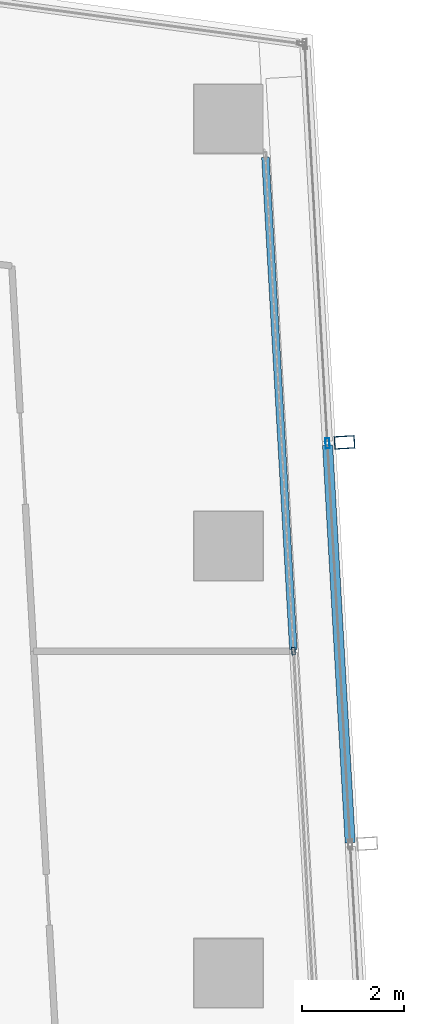
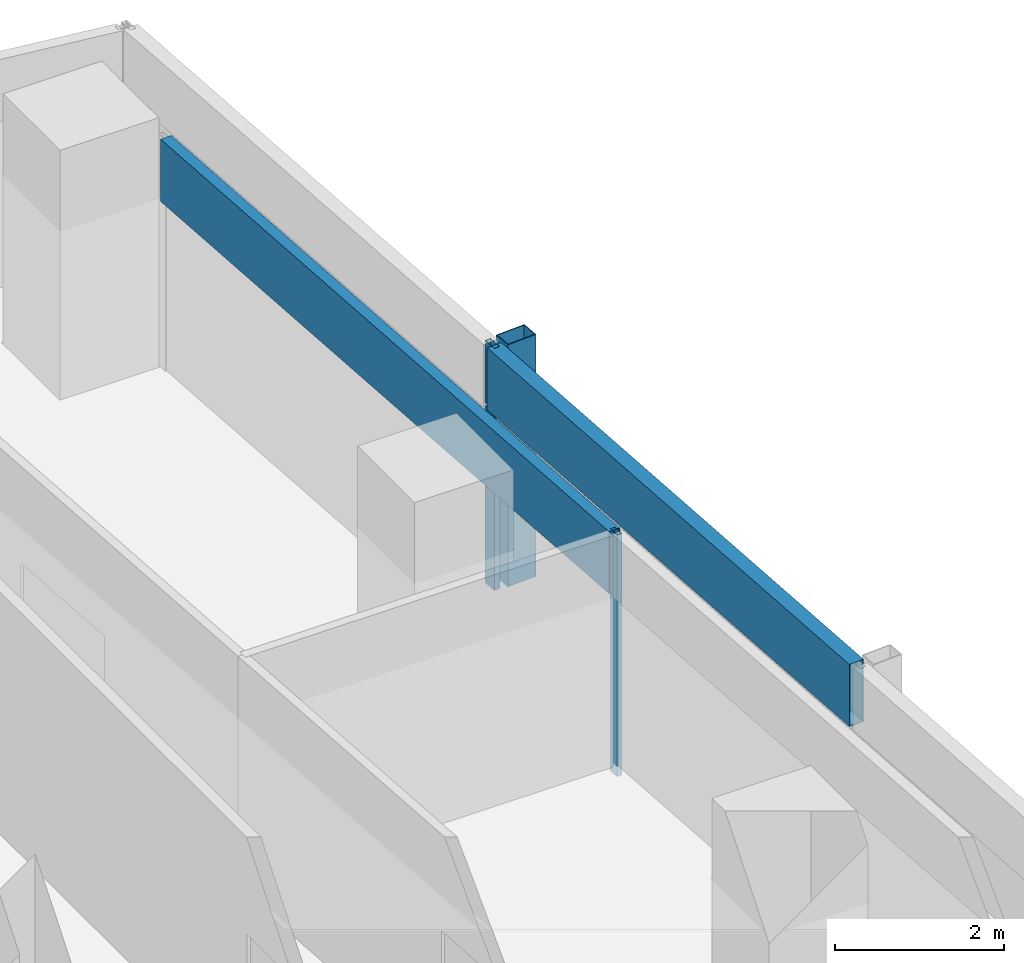
# One storey, part 20 of 35: 5 members, 2 elements without a shape of their own.
"""IFC4 building model written with IfcOpenShell, lengths in metres."""

from ifc_helpers import new_model, si_unit, direction, frame, origin, origin_2d, place, context, subcontext, project, spatial, hollow_rectangle, extrude, material, material_profile, profile_set, type_object, element, aggregate, save


model = new_model("IFC4")

# Units and contexts
model_context = context("Model", 3, precision=1e-05, world=origin(), true_north=direction((0.0, 1.0)))
body_context = subcontext(model_context, "Body", "Model", "MODEL_VIEW")
ifc_project = project(units=[si_unit("LENGTHUNIT", "METRE"), si_unit("AREAUNIT", "SQUARE_METRE"), si_unit("VOLUMEUNIT", "CUBIC_METRE"), si_unit("PLANEANGLEUNIT", "RADIAN"), si_unit("MASSUNIT", "GRAM", prefix="KILO")], contexts=[model_context])

# Site, building, storey
site_placement = place(None, origin())
site = spatial("IfcSite", under=ifc_project, at=site_placement, CompositionType="ELEMENT")
building_placement = place(site_placement, origin())
building = spatial("IfcBuilding", under=site, at=building_placement, Name="Rekha Terrace Tower", CompositionType="ELEMENT")
storey_placement = place(building_placement, frame((0.0, 0.0, 191.449951171875)))
storey = spatial("IfcBuildingStorey", under=building, at=storey_placement, Name="L48", CompositionType="ELEMENT", Elevation=191.449951171875)

# Curtain wall, member
ifc_material_1 = material(Name="Aluminium framing", Category="aluminium")
curtain_wall_type_1 = type_object("IfcCurtainWallType", Name="CW2 double skin outer glazing", PredefinedType="USERDEFINED", material=ifc_material_1)
curtain_wall_1_placement = place(storey_placement, origin())
curtain_wall_1 = element("IfcCurtainWall", 1, at=curtain_wall_1_placement, inside=storey, type_object=curtain_wall_type_1, Name="CW2 double skin outer glazing", ObjectType="DOUBLE SKIN OUTER GLAZING", PredefinedType="USERDEFINED")
ifc_material_2 = material(Name="Steel S355 with fluorocarbon finish", Category="steel")
ifc_material_profile_1 = material_profile(ifc_material_2, hollow_rectangle(XDim=0.25, YDim=0.39990234375, WallThickness=0.012451171875, at=origin_2d()), Name="RHS400x250x12.5")
ifc_profile_set_1 = profile_set([ifc_material_profile_1], Name="Steel S355 with fluorocarbon finish")
member_type_1 = type_object("IfcMemberType", Name="BL1 facade blade RHS 400 x 250", PredefinedType="USERDEFINED", material=ifc_profile_set_1)
member_1_placement = place(storey_placement, frame((61.080078125, 52.4375, 0.0), z_axis=(0.0, 0.0, 1.0), x_axis=(-0.056673619809, 0.998392758797, 0.0)))
member_1 = element("IfcMember", 2, at=member_1_placement, type_object=member_type_1, Name="Facade blade", ObjectType="FACADE BLADE", PredefinedType="USERDEFINED", context=body_context, shape_type="SweptSolid", body=[
    extrude(hollow_rectangle(XDim=0.25, YDim=0.39990234375, WallThickness=0.012451171875, at=origin_2d()), origin(), (0.0, 0.0, 1.0), 3.5),
])

# Curtain wall, members
curtain_wall_type_2 = type_object("IfcCurtainWallType", Name="CW1 double skin inner glazing", PredefinedType="USERDEFINED", material=ifc_material_1)
curtain_wall_2_placement = place(storey_placement, origin())
curtain_wall_2 = element("IfcCurtainWall", 3, at=curtain_wall_2_placement, inside=storey, type_object=curtain_wall_type_2, Name="CW1 double skin inner glazing", ObjectType="DOUBLE SKIN INNER GLAZING", PredefinedType="USERDEFINED")
ifc_material_3 = material(Name="Aluminium mullion section", Category="aluminium")
ifc_material_profile_2 = material_profile(ifc_material_3, hollow_rectangle(XDim=0.06494140625, YDim=0.14990234375, WallThickness=0.00390625, at=origin_2d()), Name="AL RHS 65x150")
ifc_profile_set_2 = profile_set([ifc_material_profile_2], Name="Aluminium mullion section")
member_type_2 = type_object("IfcMemberType", Name="CW1 mullion RHS 65 x 150", PredefinedType="MULLION", material=ifc_profile_set_2)
member_2_placement = place(storey_placement, frame((60.076171875, 48.331787109375, 0.0), z_axis=(0.0, 0.0, 1.0), x_axis=(-0.998392782919, -0.05667319486, 0.0)))
member_2 = element("IfcMember", 4, at=member_2_placement, type_object=member_type_2, Name="CW1 mullion 3", PredefinedType="MULLION", context=body_context, shape_type="SweptSolid", body=[
    extrude(hollow_rectangle(XDim=0.06494140625, YDim=0.14990234375, WallThickness=0.00390625, at=origin_2d()), origin(), (0.0, 0.0, 1.0), 3.5),
])
ifc_material_4 = material(Name="Insulated aluminium spandrel box", Category="aluminium")
ifc_material_profile_3 = material_profile(ifc_material_4, hollow_rectangle(XDim=0.14990234375, YDim=0.89990234375, WallThickness=0.0029296875, at=origin_2d()), Name="AL SPANDREL BOX 150x900")
ifc_profile_set_3 = profile_set([ifc_material_profile_3], Name="Insulated aluminium spandrel box")
member_type_3 = type_object("IfcMemberType", Name="CW1 spandrel transom 150 x 900", PredefinedType="USERDEFINED", material=ifc_profile_set_3)
member_3_placement = place(storey_placement, frame((60.07421875, 48.3642578125, 3.050048828125), z_axis=(-0.056665357377, 0.998393227778, 0.0), x_axis=(-0.998393227778, -0.056665357377, 0.0)))
member_3 = element("IfcMember", 5, at=member_3_placement, type_object=member_type_3, Name="CW1 spandrel transom 3", ObjectType="TRANSOM", PredefinedType="USERDEFINED", context=body_context, shape_type="SweptSolid", body=[
    extrude(hollow_rectangle(XDim=0.14990234375, YDim=0.89990234375, WallThickness=0.0029296875, at=origin_2d()), origin(), (0.0, 0.0, 1.0), 9.694091796875),
])
aggregate(curtain_wall_2, [member_2, member_3])

# Member
ifc_material_profile_4 = material_profile(ifc_material_3, hollow_rectangle(XDim=0.080078125, YDim=0.199951171875, WallThickness=0.00390625, at=origin_2d()), Name="AL RHS 80x200")
ifc_profile_set_4 = profile_set([ifc_material_profile_4], Name="Aluminium mullion section")
member_type_4 = type_object("IfcMemberType", Name="CW2 mullion RHS 80 x 200", PredefinedType="MULLION", material=ifc_profile_set_4)
member_4_placement = place(storey_placement, frame((60.74560546875, 52.41845703125, 0.0), z_axis=(0.0, 0.0, 1.0), x_axis=(-0.998392782919, -0.05667319486, 0.0)))
member_4 = element("IfcMember", 6, at=member_4_placement, type_object=member_type_4, Name="CW2 mullion 4", PredefinedType="MULLION", context=body_context, shape_type="SweptSolid", body=[
    extrude(hollow_rectangle(XDim=0.080078125, YDim=0.199951171875, WallThickness=0.00390625, at=origin_2d()), origin(), (0.0, 0.0, 1.0), 3.5),
])

ifc_material_profile_5 = material_profile(ifc_material_4, hollow_rectangle(XDim=0.199951171875, YDim=0.89990234375, WallThickness=0.0029296875, at=origin_2d()), Name="AL SPANDREL BOX 200x900")
ifc_profile_set_5 = profile_set([ifc_material_profile_5], Name="Insulated aluminium spandrel box")
member_type_5 = type_object("IfcMemberType", Name="CW2 spandrel transom 200 x 900", PredefinedType="USERDEFINED", material=ifc_profile_set_5)
member_5_placement = place(storey_placement, frame((61.19140625, 44.567626953125, 3.050048828125), z_axis=(-0.056702299999, 0.998391130357, 0.0), x_axis=(-0.998391130357, -0.056702299999, 0.0)))
member_5 = element("IfcMember", 7, at=member_5_placement, type_object=member_type_5, Name="CW2 spandrel transom 3", ObjectType="TRANSOM", PredefinedType="USERDEFINED", context=body_context, shape_type="SweptSolid", body=[
    extrude(hollow_rectangle(XDim=0.199951171875, YDim=0.89990234375, WallThickness=0.0029296875, at=origin_2d()), origin(), (0.0, 0.0, 1.0), 7.823486328125),
])

aggregate(curtain_wall_1, [member_4, member_5, member_1])

save(model, "model.ifc")
